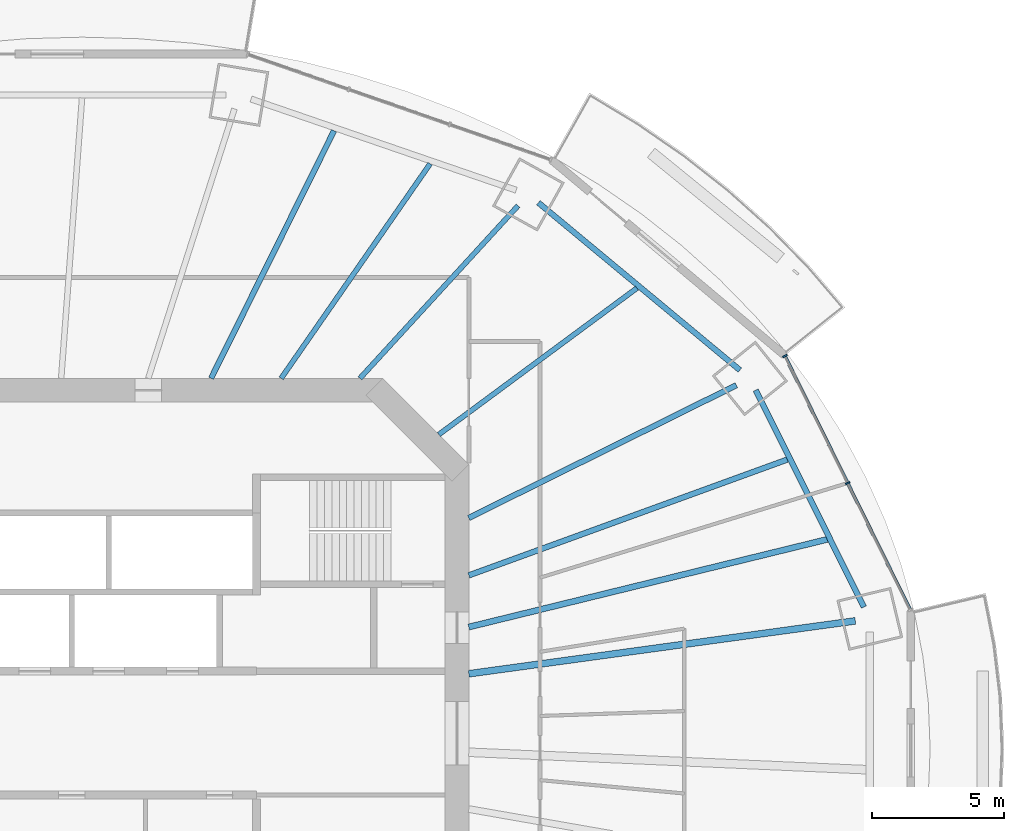
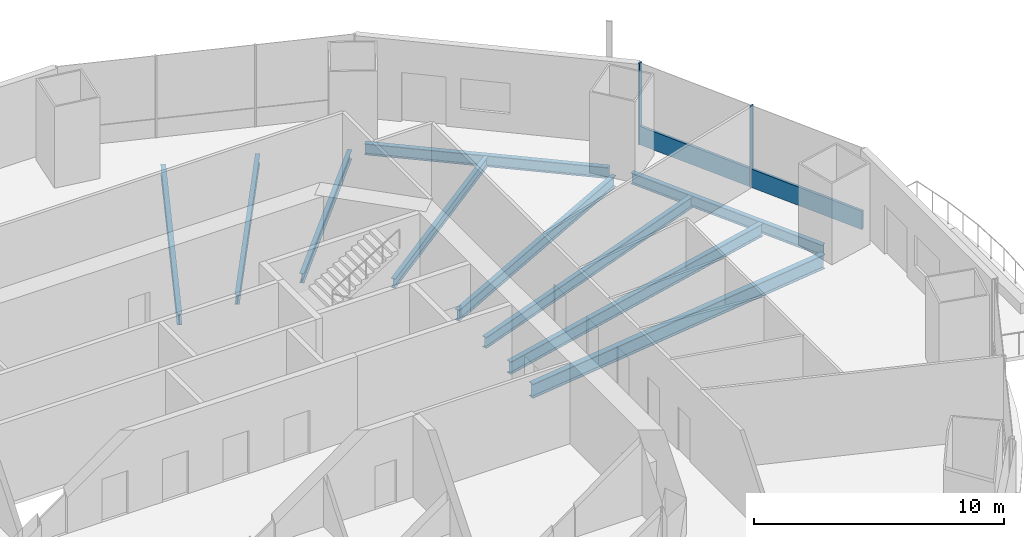
# One storey, part 7 of 20: 10 beams, 3 members, 1 element without a shape of its own.
"""IFC4 building model written with IfcOpenShell, lengths in metres."""

from ifc_helpers import new_model, si_unit, direction, frame, origin, origin_2d, place, context, subcontext, project, spatial, rectangle, i_section, extrude, material, material_profile, profile_set, type_object, element, aggregate, save


model = new_model("IFC4")

# Units and contexts
model_context = context("Model", 3, precision=1e-05, world=origin(), true_north=direction((0.0, 1.0)))
body_context = subcontext(model_context, "Body", "Model", "MODEL_VIEW")
ifc_project = project(units=[si_unit("LENGTHUNIT", "METRE"), si_unit("AREAUNIT", "SQUARE_METRE"), si_unit("VOLUMEUNIT", "CUBIC_METRE"), si_unit("PLANEANGLEUNIT", "RADIAN"), si_unit("MASSUNIT", "GRAM", prefix="KILO")], contexts=[model_context])

# Site, building, storey
site_placement = place(None, origin())
site = spatial("IfcSite", under=ifc_project, at=site_placement, CompositionType="ELEMENT")
building_placement = place(site_placement, origin())
building = spatial("IfcBuilding", under=site, at=building_placement, Name="Marenthal Gate Tower", CompositionType="ELEMENT")
storey_placement = place(building_placement, frame((0.0, 0.0, 194.25)))
storey = spatial("IfcBuildingStorey", under=building, at=storey_placement, Name="L42", CompositionType="ELEMENT", Elevation=194.25)

# Curtain wall, members
ifc_material_1 = material(Name="Aluminium and glass", Category="aluminium")
curtain_wall_type = type_object("IfcCurtainWallType", Name="Curtain wall typical mid", PredefinedType="NOTDEFINED", material=ifc_material_1)
curtain_wall_placement = place(storey_placement, origin())
curtain_wall = element("IfcCurtainWall", 1, at=curtain_wall_placement, inside=storey, type_object=curtain_wall_type, Name="Curtain wall L42 bay 1", PredefinedType="NOTDEFINED")
ifc_material_2 = material(Name="Aluminium", Category="aluminium")
ifc_material_profile_1 = material_profile(ifc_material_2, rectangle(XDim=0.179931640625, YDim=0.06005859375, at=origin_2d()), Name="60x180 aluminium mullion")
ifc_profile_set_1 = profile_set([ifc_material_profile_1], Name="Aluminium")
member_type_1 = type_object("IfcMemberType", Name="Mullion 60x180 typical mid", PredefinedType="MULLION", material=ifc_profile_set_1)
member_1_placement = place(storey_placement, frame((30.8095703125, 9.481689453125, 0.0), z_axis=(0.0, 0.0, 1.0), x_axis=(-0.896680826174, -0.442677643406, 0.0)))
member_1 = element("IfcMember", 2, at=member_1_placement, type_object=member_type_1, Name="Mullion L42 bay 1.2", PredefinedType="MULLION", context=body_context, shape_type="SweptSolid", body=[
    extrude(rectangle(XDim=0.179931640625, YDim=0.06005859375, at=origin_2d()), origin(), (0.0, 0.0, 1.0), 3.969970703125),
])
member_2_placement = place(storey_placement, frame((28.432861328125, 14.29638671875, 0.0), z_axis=(0.0, 0.0, 1.0), x_axis=(-0.896680826174, -0.442677643406, 0.0)))
member_2 = element("IfcMember", 3, at=member_2_placement, type_object=member_type_1, Name="Mullion L42 bay 1.3", PredefinedType="MULLION", context=body_context, shape_type="SweptSolid", body=[
    extrude(rectangle(XDim=0.179931640625, YDim=0.06005859375, at=origin_2d()), origin(), (0.0, 0.0, 1.0), 3.969970703125),
])
ifc_material_3 = material(Name="Aluminium", Category="aluminium")
ifc_material_profile_2 = material_profile(ifc_material_3, rectangle(XDim=0.1201171875, YDim=0.89990234375, at=origin_2d()), Name="120x900 aluminium transom")
ifc_profile_set_2 = profile_set([ifc_material_profile_2], Name="Aluminium")
member_type_2 = type_object("IfcMemberType", Name="Transom 120x900 typical mid", PredefinedType="USERDEFINED", material=ifc_profile_set_2)
member_3_placement = place(storey_placement, frame((33.17333984375, 4.694091796875, 0.449951171875), z_axis=(-0.442690223778, 0.896674615327, 0.0), x_axis=(-0.896674615327, -0.442690223778, 0.0)))
member_3 = element("IfcMember", 4, at=member_3_placement, type_object=member_type_2, Name="Transom L42 bay 1", ObjectType="TRANSOM", PredefinedType="USERDEFINED", context=body_context, shape_type="SweptSolid", body=[
    extrude(rectangle(XDim=0.1201171875, YDim=0.89990234375, at=origin_2d()), origin(), (0.0, 0.0, 1.0), 10.678466796875),
])
aggregate(curtain_wall, [member_1, member_2, member_3])

# Beams
ifc_material_4 = material(Name="Steel S355", Category="steel")
ifc_material_profile_3 = material_profile(ifc_material_4, i_section(OverallWidth=0.193115234375, OverallDepth=0.467041015625, WebThickness=0.011474609375, FlangeThickness=0.01904296875, FilletRadius=0.010009765625, at=origin_2d()), Name="W460X97")
ifc_profile_set_3 = profile_set([ifc_material_profile_3], Name="Steel S355")
beam_type_1 = type_object("IfcBeamType", Name="W460X97 beam", PredefinedType="BEAM", material=ifc_profile_set_3)
beam_1_placement = place(storey_placement, frame((18.317138671875, 19.992919921875, -0.41357421875), z_axis=(-0.675535239039, -0.737327702461, 0.0), x_axis=(0.737327702461, -0.675535239039, 0.0)))
element("IfcBeam", 5, at=beam_1_placement, inside=storey, type_object=beam_type_1, Name="BM-L42-03", PredefinedType="BEAM", context=body_context, shape_type="SweptSolid", body=[
    extrude(i_section(OverallWidth=0.193115234375, OverallDepth=0.467041015625, WebThickness=0.011474609375, FlangeThickness=0.01904296875, FilletRadius=0.010009765625, at=origin_2d()), origin(), (0.0, 0.0, 1.0), 8.873779296875),
])
beam_2_placement = place(storey_placement, frame((22.819580078125, 16.867919921875, -0.41357421875), z_axis=(-0.804159285788, -0.594413865149, 0.0), x_axis=(0.594413865149, -0.804159285788, 0.0)))
element("IfcBeam", 6, at=beam_2_placement, inside=storey, type_object=beam_type_1, Name="BM-L42-19", PredefinedType="BEAM", context=body_context, shape_type="SweptSolid", body=[
    extrude(i_section(OverallWidth=0.193115234375, OverallDepth=0.467041015625, WebThickness=0.011474609375, FlangeThickness=0.01904296875, FilletRadius=0.010009765625, at=origin_2d()), origin(), (0.0, 0.0, 1.0), 9.331787109375),
])
beam_3_placement = place(storey_placement, frame((14.98388671875, 21.5810546875, -0.41357421875), z_axis=(-0.57032139263, -0.821421639056, 0.0), x_axis=(0.821421639056, -0.57032139263, 0.0)))
element("IfcBeam", 7, at=beam_3_placement, inside=storey, type_object=beam_type_1, Name="BM-L42-20", PredefinedType="BEAM", context=body_context, shape_type="SweptSolid", body=[
    extrude(i_section(OverallWidth=0.193115234375, OverallDepth=0.467041015625, WebThickness=0.011474609375, FlangeThickness=0.01904296875, FilletRadius=0.010009765625, at=origin_2d()), origin(), (0.0, 0.0, 1.0), 9.89892578125),
])
ifc_material_5 = material(Name="Steel S355", Category="steel")
ifc_material_profile_4 = material_profile(ifc_material_5, i_section(OverallWidth=0.2099609375, OverallDepth=0.535888671875, WebThickness=0.010986328125, FlangeThickness=0.017333984375, FilletRadius=0.0126953125, at=origin_2d()), Name="W530X101")
ifc_profile_set_4 = profile_set([ifc_material_profile_4], Name="Steel S355")
beam_type_2 = type_object("IfcBeamType", Name="W530X101 beam", PredefinedType="BEAM", material=ifc_profile_set_4)
beam_4_placement = place(storey_placement, frame((11.34326171875, 22.83349609375, -0.447998046875), z_axis=(-0.444909971834, -0.895575299437, 0.0), x_axis=(0.895575299437, -0.444909971834, 0.0)))
element("IfcBeam", 8, at=beam_4_placement, inside=storey, type_object=beam_type_2, Name="BM-L42-21", PredefinedType="BEAM", context=body_context, shape_type="SweptSolid", body=[
    extrude(i_section(OverallWidth=0.2099609375, OverallDepth=0.535888671875, WebThickness=0.010986328125, FlangeThickness=0.017333984375, FilletRadius=0.0126953125, at=origin_2d()), origin(), (0.0, 0.0, 1.0), 10.477783203125),
])
ifc_material_6 = material(Name="Steel S355", Category="steel")
ifc_material_profile_5 = material_profile(ifc_material_6, i_section(OverallWidth=0.2119140625, OverallDepth=0.5439453125, WebThickness=0.01318359375, FlangeThickness=0.021240234375, FilletRadius=0.0126953125, at=origin_2d()), Name="W530X123")
ifc_profile_set_5 = profile_set([ifc_material_profile_5], Name="Steel S355")
beam_type_3 = type_object("IfcBeamType", Name="W530X123 beam", PredefinedType="BEAM", material=ifc_profile_set_5)
beam_5_placement = place(storey_placement, frame((26.590576171875, 13.189697265625, -0.451904296875), z_axis=(-0.895854730094, -0.44434705194, 0.0), x_axis=(0.44434705194, -0.895854730094, 0.0)))
element("IfcBeam", 9, at=beam_5_placement, inside=storey, type_object=beam_type_3, Name="BM-L42-02", PredefinedType="BEAM", context=body_context, shape_type="SweptSolid", body=[
    extrude(i_section(OverallWidth=0.2119140625, OverallDepth=0.5439453125, WebThickness=0.01318359375, FlangeThickness=0.021240234375, FilletRadius=0.0126953125, at=origin_2d()), origin(), (0.0, 0.0, 1.0), 11.319580078125),
])
beam_6_placement = place(storey_placement, frame((28.520263671875, 10.37109375, -0.451904296875), z_axis=(-0.939794533486, -0.341740010579, 0.0), x_axis=(0.341740010579, -0.939794533486, 0.0)))
element("IfcBeam", 10, at=beam_6_placement, inside=storey, type_object=beam_type_3, Name="BM-L42-18", PredefinedType="BEAM", context=body_context, shape_type="SweptSolid", body=[
    extrude(i_section(OverallWidth=0.2119140625, OverallDepth=0.5439453125, WebThickness=0.01318359375, FlangeThickness=0.021240234375, FilletRadius=0.0126953125, at=origin_2d()), origin(), (0.0, 0.0, 1.0), 12.843505859375),
])
beam_7_placement = place(storey_placement, frame((31.4267578125, 4.7802734375, -0.451904296875), z_axis=(-0.446267064466, 0.894899830804, 0.0), x_axis=(-0.894899830804, -0.446267064466, 0.0)))
element("IfcBeam", 11, at=beam_7_placement, inside=storey, type_object=beam_type_3, Name="BM-L42-41", PredefinedType="BEAM", context=body_context, shape_type="SweptSolid", body=[
    extrude(i_section(OverallWidth=0.2119140625, OverallDepth=0.5439453125, WebThickness=0.01318359375, FlangeThickness=0.021240234375, FilletRadius=0.0126953125, at=origin_2d()), origin(), (0.0, 0.0, 1.0), 9.184814453125),
])
beam_8_placement = place(storey_placement, frame((26.72509765625, 13.76171875, -0.451904296875), z_axis=(-0.769236112246, 0.638964634089, 0.0), x_axis=(-0.638964634089, -0.769236112246, 0.0)))
element("IfcBeam", 12, at=beam_8_placement, inside=storey, type_object=beam_type_3, Name="BM-L42-42", PredefinedType="BEAM", context=body_context, shape_type="SweptSolid", body=[
    extrude(i_section(OverallWidth=0.2119140625, OverallDepth=0.5439453125, WebThickness=0.01318359375, FlangeThickness=0.021240234375, FilletRadius=0.0126953125, at=origin_2d()), origin(), (0.0, 0.0, 1.0), 9.928955078125),
])
ifc_material_7 = material(Name="Steel S355", Category="steel")
ifc_material_profile_6 = material_profile(ifc_material_7, i_section(OverallWidth=0.22900390625, OverallDepth=0.612060546875, WebThickness=0.011962890625, FlangeThickness=0.01953125, FilletRadius=0.0126953125, at=origin_2d()), Name="W610X125")
ifc_profile_set_6 = profile_set([ifc_material_profile_6], Name="Steel S355")
beam_type_4 = type_object("IfcBeamType", Name="W610X125 beam", PredefinedType="BEAM", material=ifc_profile_set_6)
beam_9_placement = place(storey_placement, frame((30.02978515625, 7.343994140625, -0.486083984375), z_axis=(-0.971373757829, -0.237556356683, 0.0), x_axis=(0.237556356683, -0.971373757829, 0.0)))
element("IfcBeam", 13, at=beam_9_placement, inside=storey, type_object=beam_type_4, Name="BM-L42-17", PredefinedType="BEAM", context=body_context, shape_type="SweptSolid", body=[
    extrude(i_section(OverallWidth=0.22900390625, OverallDepth=0.612060546875, WebThickness=0.011962890625, FlangeThickness=0.01953125, FilletRadius=0.0126953125, at=origin_2d()), origin(), (0.0, 0.0, 1.0), 13.97998046875),
])
ifc_material_8 = material(Name="Steel S355", Category="steel")
ifc_material_profile_7 = material_profile(ifc_material_8, i_section(OverallWidth=0.257080078125, OverallDepth=0.693115234375, WebThickness=0.014404296875, FlangeThickness=0.023681640625, FilletRadius=0.015380859375, at=origin_2d()), Name="W690X170")
ifc_profile_set_7 = profile_set([ifc_material_profile_7], Name="Steel S355")
beam_type_5 = type_object("IfcBeamType", Name="W690X170 beam", PredefinedType="BEAM", material=ifc_profile_set_7)
beam_10_placement = place(storey_placement, frame((31.10009765625, 4.2568359375, -0.526611328125), z_axis=(-0.990763233443, -0.13560315357, 0.0), x_axis=(0.13560315357, -0.990763233443, 0.0)))
element("IfcBeam", 14, at=beam_10_placement, inside=storey, type_object=beam_type_5, Name="BM-L42-01", PredefinedType="BEAM", context=body_context, shape_type="SweptSolid", body=[
    extrude(i_section(OverallWidth=0.257080078125, OverallDepth=0.693115234375, WebThickness=0.014404296875, FlangeThickness=0.023681640625, FilletRadius=0.015380859375, at=origin_2d()), origin(), (0.0, 0.0, 1.0), 14.78662109375),
])

save(model, "model.ifc")
